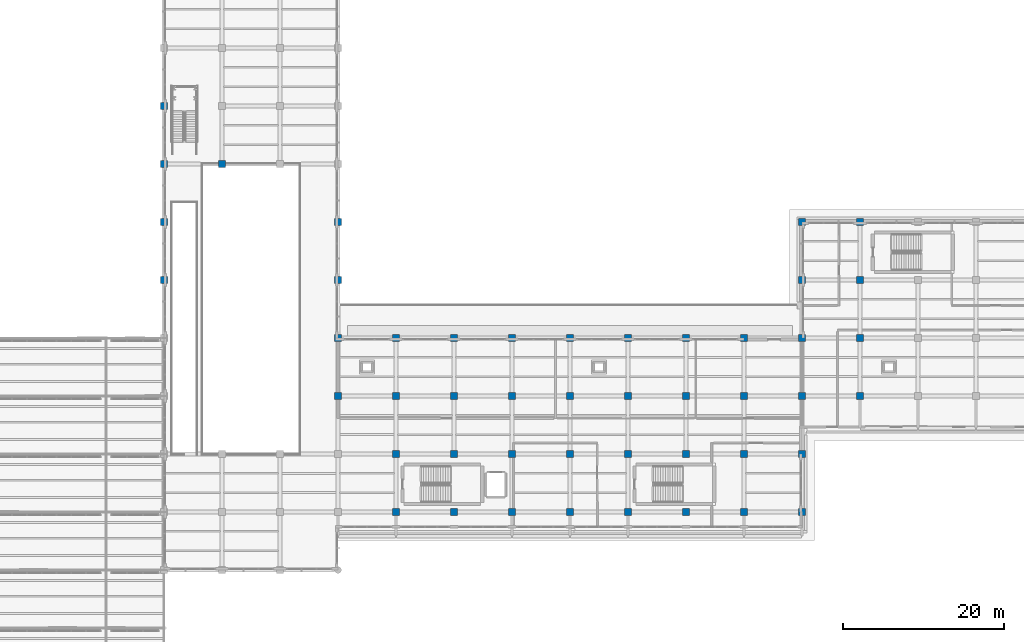
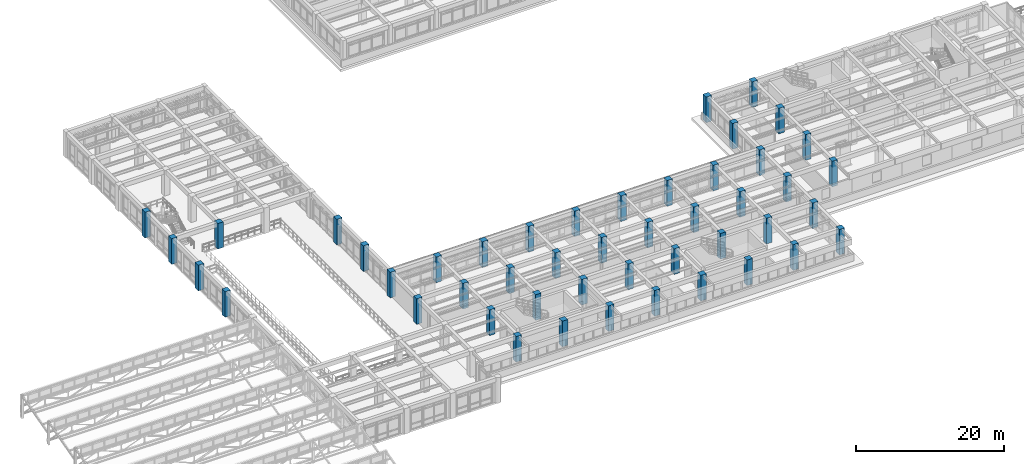
# One storey, part 4 of 98: 47 columns.
"""IFC4 building model written with IfcOpenShell, lengths in metres."""

from ifc_helpers import new_model, si_unit, direction, frame, origin, origin_2d, place, context, subcontext, project, spatial, rectangle, extrude, material, material_profile, profile_set, type_object, element, save


model = new_model("IFC4")

# Units and contexts
model_context = context("Model", 3, precision=1e-05, world=origin(), true_north=direction((0.0, 1.0)))
body_context = subcontext(model_context, "Body", "Model", "MODEL_VIEW")
ifc_project = project(units=[si_unit("LENGTHUNIT", "METRE"), si_unit("AREAUNIT", "SQUARE_METRE"), si_unit("VOLUMEUNIT", "CUBIC_METRE"), si_unit("PLANEANGLEUNIT", "RADIAN"), si_unit("MASSUNIT", "GRAM", prefix="KILO")], contexts=[model_context])

# Site, building, storey
site_placement = place(None, origin())
site = spatial("IfcSite", under=ifc_project, at=site_placement, CompositionType="ELEMENT")
building_placement = place(site_placement, origin())
building = spatial("IfcBuilding", under=site, at=building_placement, Name="Solenvale Faculty of Natural Sciences", CompositionType="ELEMENT")
storey_placement = place(building_placement, frame((0.0, 0.0, 9.0)))
storey = spatial("IfcBuildingStorey", under=building, at=storey_placement, Name="L02", CompositionType="ELEMENT", Elevation=9.0)

# Columns
ifc_material = material(Name="Concrete 50 MPa", Category="concrete")
ifc_material_profile = material_profile(ifc_material, rectangle(XDim=0.85009765625, YDim=0.85009765625, at=origin_2d()), Name="RC-COL-850x850")
ifc_profile_set = profile_set([ifc_material_profile], Name="Concrete 50 MPa")
column_type = type_object("IfcColumnType", Name="COL-RC-850", PredefinedType="COLUMN", material=ifc_profile_set)
for number, where, z_axis, x_axis, name in (
    (1, (36.0, 50.39990234375, 0.0), (0.0, 0.0, 1.0), (1.0, 0.0, 0.0), "L02 Column (36.0, 50.4)"),
    (2, (36.0, 57.60009765625, 0.0), (0.0, 0.0, 1.0), (1.0, 0.0, 0.0), "L02 Column (36.0, 57.6)"),
    (3, (36.0, 64.800048828125, 0.0), (0.0, 0.0, 1.0), (1.0, 0.0, 0.0), "L02 Column (36.0, 64.8)"),
    (4, (36.0, 72.0, 0.0), (0.0, 0.0, 1.0), (1.0, 0.0, 0.0), "L02 Column (36.0, 72.0)"),
    (5, (43.199951171875, 64.800048828125, 0.0), (0.0, 0.0, 1.0), (1.0, 0.0, 0.0), "L02 Column (43.2, 64.8)"),
    (6, (57.60009765625, 36.0, 0.0), (0.0, 0.0, 1.0), (1.0, 0.0, 0.0), "L02 Column (57.6, 36.0)"),
    (7, (57.60009765625, 43.199951171875, 0.0), (0.0, 0.0, 1.0), (1.0, 0.0, 0.0), "L02 Column (57.6, 43.2)"),
    (8, (57.60009765625, 50.39990234375, 0.0), (0.0, 0.0, 1.0), (1.0, 0.0, 0.0), "L02 Column (57.6, 50.4)"),
    (9, (57.60009765625, 57.60009765625, 0.0), (0.0, 0.0, 1.0), (1.0, 0.0, 0.0), "L02 Column (57.6, 57.6)"),
    (10, (64.800048828125, 21.60009765625, 0.0), (0.0, 0.0, 1.0), (1.0, 0.0, 0.0), "L02 Column (64.8, 21.6)"),
    (11, (64.800048828125, 28.800048828125, 0.0), (0.0, 0.0, 1.0), (1.0, 0.0, 0.0), "L02 Column (64.8, 28.8)"),
    (12, (64.800048828125, 36.0, 0.0), (0.0, 0.0, 1.0), (1.0, 0.0, 0.0), "L02 Column (64.8, 36.0)"),
    (13, (64.800048828125, 43.199951171875, 0.0), (0.0, 0.0, 1.0), (1.0, 0.0, 0.0), "L02 Column (64.8, 43.2)"),
    (14, (72.0, 21.60009765625, 0.0), (0.0, 0.0, 1.0), (1.0, 0.0, 0.0), "L02 Column (72.0, 21.6)"),
    (15, (72.0, 28.800048828125, 0.0), (0.0, 0.0, 1.0), (1.0, 0.0, 0.0), "L02 Column (72.0, 28.8)"),
    (16, (72.0, 36.0, 0.0), (0.0, 0.0, 1.0), (1.0, 0.0, 0.0), "L02 Column (72.0, 36.0)"),
    (17, (72.0, 43.199951171875, 0.0), (0.0, 0.0, 1.0), (1.0, 0.0, 0.0), "L02 Column (72.0, 43.2)"),
    (18, (79.199951171875, 21.60009765625, 0.0), (0.0, 0.0, 1.0), (1.0, 0.0, 0.0), "L02 Column (79.2, 21.6)"),
    (19, (79.199951171875, 28.800048828125, 0.0), (0.0, 0.0, 1.0), (1.0, 0.0, 0.0), "L02 Column (79.2, 28.8)"),
    (20, (79.199951171875, 36.0, 0.0), (0.0, 0.0, 1.0), (1.0, 0.0, 0.0), "L02 Column (79.2, 36.0)"),
    (21, (79.199951171875, 43.199951171875, 0.0), (0.0, 0.0, 1.0), (1.0, 0.0, 0.0), "L02 Column (79.2, 43.2)"),
    (22, (86.39990234375, 21.60009765625, 0.0), (0.0, 0.0, 1.0), (1.0, 0.0, 0.0), "L02 Column (86.4, 21.6)"),
    (23, (86.39990234375, 28.800048828125, 0.0), (0.0, 0.0, 1.0), (1.0, 0.0, 0.0), "L02 Column (86.4, 28.8)"),
    (24, (86.39990234375, 36.0, 0.0), (0.0, 0.0, 1.0), (1.0, 0.0, 0.0), "L02 Column (86.4, 36.0)"),
    (25, (86.39990234375, 43.199951171875, 0.0), (0.0, 0.0, 1.0), (1.0, 0.0, 0.0), "L02 Column (86.4, 43.2)"),
    (26, (93.60009765625, 21.60009765625, 0.0), (0.0, 0.0, 1.0), (1.0, 0.0, 0.0), "L02 Column (93.6, 21.6)"),
    (27, (93.60009765625, 28.800048828125, 0.0), (0.0, 0.0, 1.0), (1.0, 0.0, 0.0), "L02 Column (93.6, 28.8)"),
    (28, (93.60009765625, 36.0, 0.0), (0.0, 0.0, 1.0), (1.0, 0.0, 0.0), "L02 Column (93.6, 36.0)"),
    (29, (93.60009765625, 43.199951171875, 0.0), (0.0, 0.0, 1.0), (1.0, 0.0, 0.0), "L02 Column (93.6, 43.2)"),
    (30, (100.800048828125, 21.60009765625, 0.0), (0.0, 0.0, 1.0), (1.0, 0.0, 0.0), "L02 Column (100.8, 21.6)"),
    (31, (100.800048828125, 28.800048828125, 0.0), (0.0, 0.0, 1.0), (1.0, 0.0, 0.0), "L02 Column (100.8, 28.8)"),
    (32, (100.800048828125, 36.0, 0.0), (0.0, 0.0, 1.0), (1.0, 0.0, 0.0), "L02 Column (100.8, 36.0)"),
    (33, (100.800048828125, 43.199951171875, 0.0), (0.0, 0.0, 1.0), (1.0, 0.0, 0.0), "L02 Column (100.8, 43.2)"),
    (34, (108.0, 21.60009765625, 0.0), (0.0, 0.0, 1.0), (1.0, 0.0, 0.0), "L02 Column (108.0, 21.6)"),
    (35, (108.0, 28.800048828125, 0.0), (0.0, 0.0, 1.0), (1.0, 0.0, 0.0), "L02 Column (108.0, 28.8)"),
    (36, (108.0, 36.0, 0.0), (0.0, 0.0, 1.0), (1.0, 0.0, 0.0), "L02 Column (108.0, 36.0)"),
    (37, (108.0, 43.199951171875, 0.0), (0.0, 0.0, 1.0), (1.0, 0.0, 0.0), "L02 Column (108.0, 43.2)"),
    (38, (115.199951171875, 21.60009765625, 0.0), (0.0, 0.0, 1.0), (1.0, 0.0, 0.0), "L02 Column (115.2, 21.6)"),
    (39, (115.199951171875, 28.800048828125, 0.0), (0.0, 0.0, 1.0), (1.0, 0.0, 0.0), "L02 Column (115.2, 28.8)"),
    (40, (115.199951171875, 36.0, 0.0), (0.0, 0.0, 1.0), (1.0, 0.0, 0.0), "L02 Column (115.2, 36.0)"),
    (41, (115.199951171875, 43.199951171875, 0.0), (0.0, 0.0, 1.0), (1.0, 0.0, 0.0), "L02 Column (115.2, 43.2)"),
    (42, (115.199951171875, 50.39990234375, 0.0), (0.0, 0.0, 1.0), (1.0, 0.0, 0.0), "L02 Column (115.2, 50.4)"),
    (43, (115.199951171875, 57.60009765625, 0.0), (0.0, 0.0, 1.0), (1.0, 0.0, 0.0), "L02 Column (115.2, 57.6)"),
    (44, (122.39990234375, 36.0, 0.0), (0.0, 0.0, 1.0), (1.0, 0.0, 0.0), "L02 Column (122.4, 36.0)"),
    (45, (122.39990234375, 43.199951171875, 0.0), (0.0, 0.0, 1.0), (1.0, 0.0, 0.0), "L02 Column (122.4, 43.2)"),
    (46, (122.39990234375, 50.39990234375, 0.0), (0.0, 0.0, 1.0), (1.0, 0.0, 0.0), "L02 Column (122.4, 50.4)"),
    (47, (122.39990234375, 57.60009765625, 0.0), (0.0, 0.0, 1.0), (1.0, 0.0, 0.0), "L02 Column (122.4, 57.6)"),
):
    element("IfcColumn", number, at=place(storey_placement, frame(where, z_axis=z_axis, x_axis=x_axis)), inside=storey, type_object=column_type, Name=name, PredefinedType="COLUMN", context=body_context, shape_type="SweptSolid", body=[
        extrude(rectangle(XDim=0.85009765625, YDim=0.85009765625, at=origin_2d()), origin(), (0.0, 0.0, 1.0), 4.219970703125),
    ])

save(model, "model.ifc")
